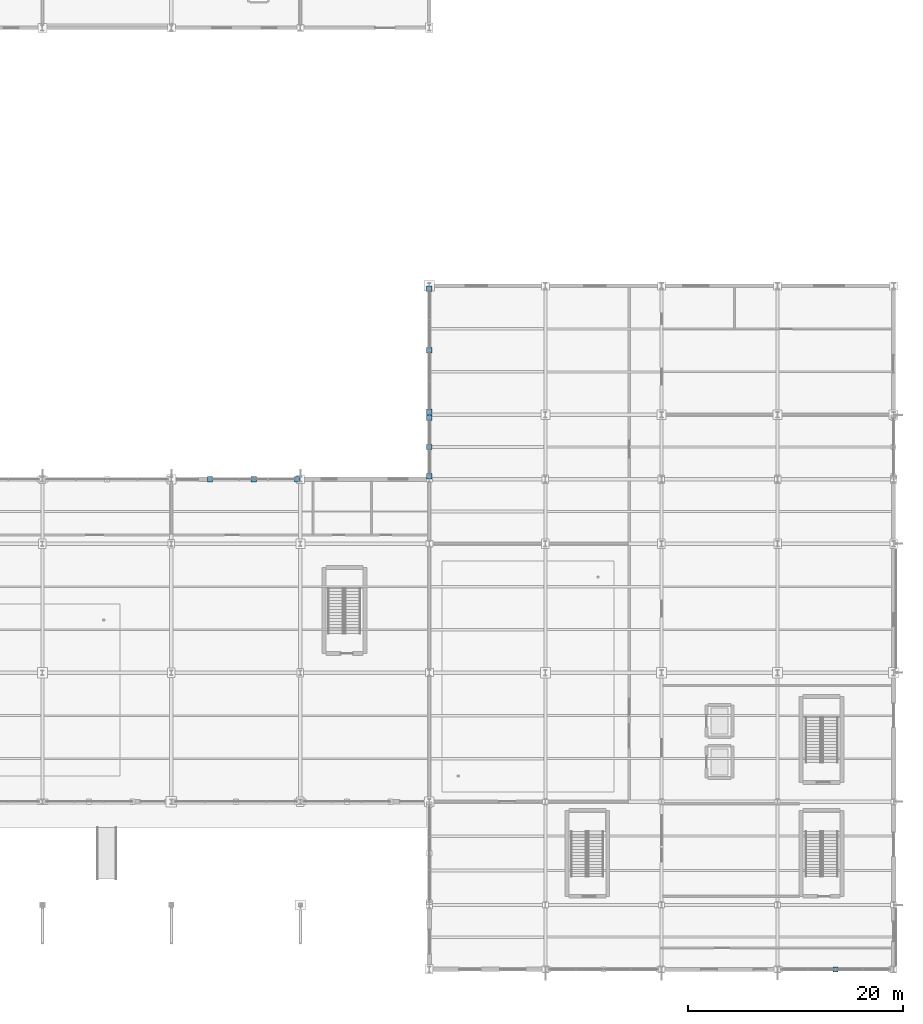
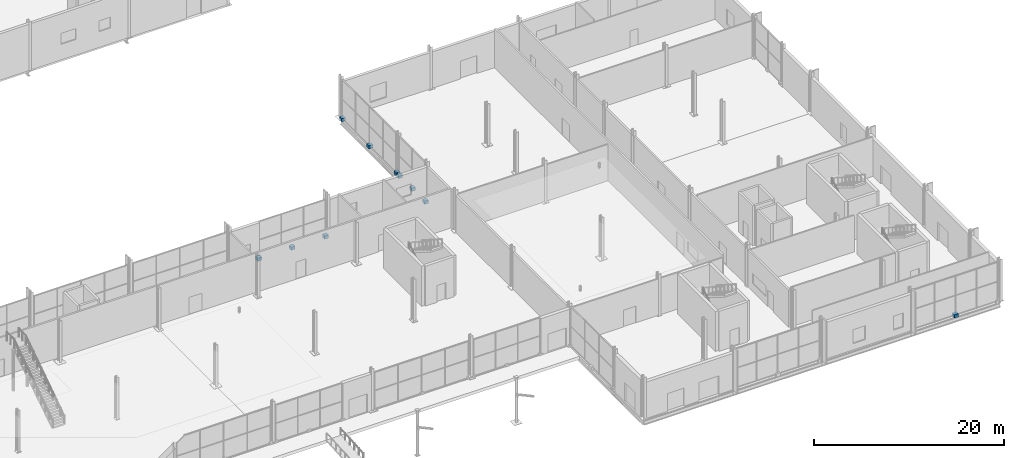
# One storey, part 188 of 196: 10 discrete accessories.
"""IFC4 building model written with IfcOpenShell, lengths in metres."""

from ifc_helpers import new_model, si_unit, direction, frame, origin, origin_2d, place, context, subcontext, project, spatial, rectangle, extrude, material, layer, layer_set, type_object, element, save


model = new_model("IFC4")

# Units and contexts
model_context = context("Model", 3, precision=1e-05, world=origin(), true_north=direction((0.0, 1.0)))
body_context = subcontext(model_context, "Body", "Model", "MODEL_VIEW")
ifc_project = project(units=[si_unit("LENGTHUNIT", "METRE"), si_unit("AREAUNIT", "SQUARE_METRE"), si_unit("VOLUMEUNIT", "CUBIC_METRE"), si_unit("PLANEANGLEUNIT", "RADIAN"), si_unit("MASSUNIT", "GRAM", prefix="KILO")], contexts=[model_context])

# Site, building, storey
site_placement = place(None, origin())
site = spatial("IfcSite", under=ifc_project, at=site_placement, CompositionType="ELEMENT")
building_placement = place(site_placement, origin())
building = spatial("IfcBuilding", under=site, at=building_placement, Name="Merenkruunu Market Hall", CompositionType="ELEMENT")
storey_placement = place(building_placement, origin())
storey = spatial("IfcBuildingStorey", under=building, at=storey_placement, Name="L00", CompositionType="ELEMENT", Elevation=0.0)

# Discrete accessories
ifc_material = material(Name="Brushed stainless steel", Category="steel")
ifc_layer = layer(ifc_material, 0.159912109375)
ifc_layer_set = layer_set([ifc_layer], Name="Brushed stainless steel")
discrete_accessory_type = type_object("IfcDiscreteAccessoryType", Name="Stainless Facade Support Bracket BRK01", PredefinedType="BRACKET", material=ifc_layer_set)
for number, where, z_axis, x_axis, name in (
    (1, (128.39990234375, 45.60009765625, -0.199951171875), (0.0, 0.0, 1.0), (1.0, 0.0, 0.0), "ACC-CWBRK-196-1"),
    (2, (132.4599609375, 45.60009765625, -0.199951171875), (0.0, 0.0, 1.0), (1.0, 0.0, 0.0), "ACC-CWBRK-196-2"),
    (3, (136.52001953125, 45.60009765625, -0.199951171875), (0.0, 0.0, 1.0), (1.0, 0.0, 0.0), "ACC-CWBRK-196-3"),
    (4, (186.60009765625, 0.0, -0.199951171875), (0.0, 0.0, 1.0), (1.0, 0.0, 0.0), "ACC-CWBRK-202-2"),
    (5, (148.800048828125, 45.8798828125, -0.199951171875), (0.0, 0.0, 1.0), (1.0, 0.0, 0.0), "ACC-CWBRK-205-1"),
    (6, (148.800048828125, 48.60009765625, -0.199951171875), (0.0, 0.0, 1.0), (1.0, 0.0, 0.0), "ACC-CWBRK-205-2"),
    (7, (148.800048828125, 51.320068359375, -0.199951171875), (0.0, 0.0, 1.0), (1.0, 0.0, 0.0), "ACC-CWBRK-205-3"),
    (8, (148.800048828125, 51.8798828125, -0.199951171875), (0.0, 0.0, 1.0), (1.0, 0.0, 0.0), "ACC-CWBRK-206-1"),
    (9, (148.800048828125, 57.60009765625, -0.199951171875), (0.0, 0.0, 1.0), (1.0, 0.0, 0.0), "ACC-CWBRK-206-2"),
    (10, (148.800048828125, 63.320068359375, -0.199951171875), (0.0, 0.0, 1.0), (1.0, 0.0, 0.0), "ACC-CWBRK-206-3"),
):
    element("IfcDiscreteAccessory", number, at=place(storey_placement, frame(where, z_axis=z_axis, x_axis=x_axis)), inside=storey, type_object=discrete_accessory_type, Name=name, PredefinedType="BRACKET", context=body_context, shape_type="SweptSolid", body=[
        extrude(rectangle(XDim=0.47998046875, YDim=0.47998046875, at=origin_2d()), origin(), (0.0, 0.0, 1.0), 0.39990234375),
    ])

save(model, "model.ifc")
